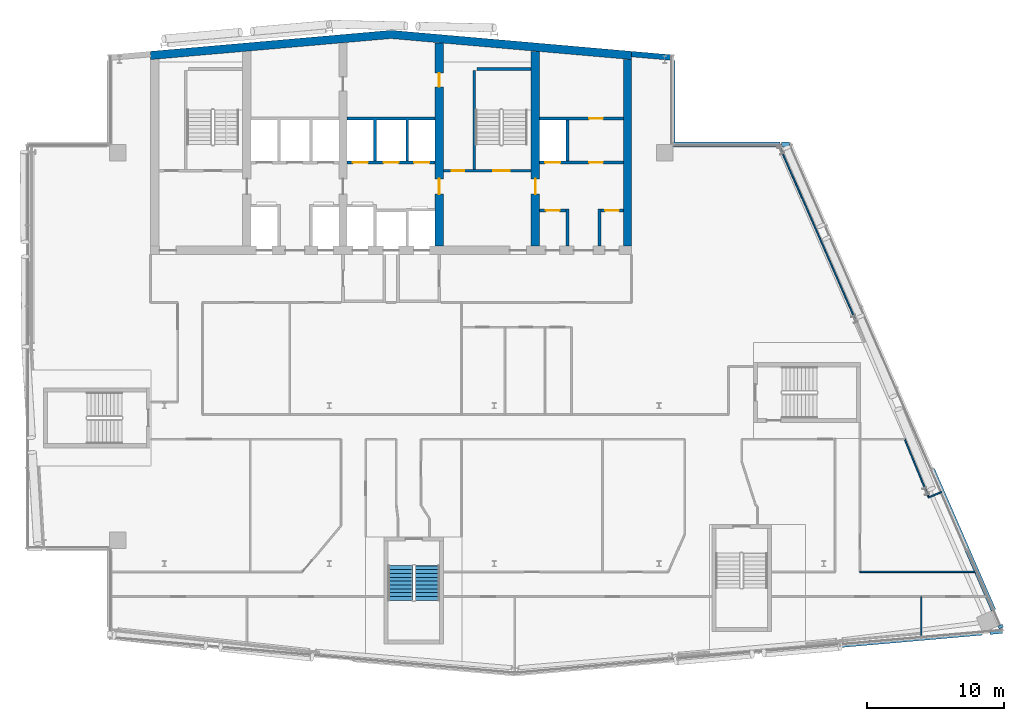
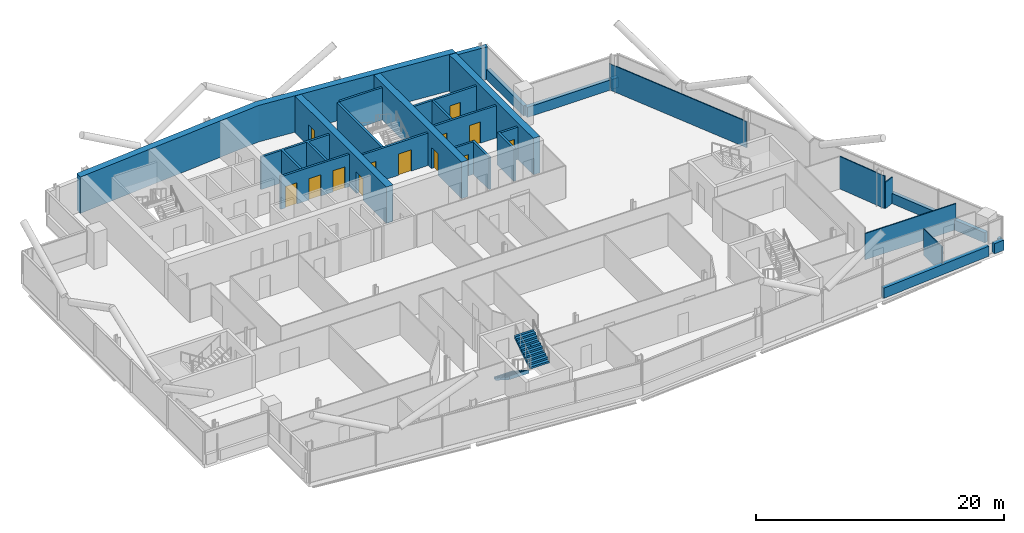
# One storey, part 19 of 27: 29 walls, 13 doors, 2 stair flights, 13 openings, 1 element without a shape of its own.
"""IFC4 building model written with IfcOpenShell, lengths in metres."""

from ifc_helpers import new_model, si_unit, direction, frame, frame_2d, origin, place, context, subcontext, project, spatial, polyline, rectangle, outline, extrude, material, layer, layer_set, type_object, element, fill, aggregate, save


model = new_model("IFC4")

# Units and contexts
model_context = context("Model", 3, precision=1e-05, world=origin(), true_north=direction((0.0, 1.0)))
body_context = subcontext(model_context, "Body", "Model", "MODEL_VIEW")
ifc_project = project(units=[si_unit("LENGTHUNIT", "METRE"), si_unit("AREAUNIT", "SQUARE_METRE"), si_unit("VOLUMEUNIT", "CUBIC_METRE"), si_unit("PLANEANGLEUNIT", "RADIAN"), si_unit("MASSUNIT", "GRAM", prefix="KILO")], contexts=[model_context])

# Site, building, storey
site_placement = place(None, origin())
site = spatial("IfcSite", under=ifc_project, at=site_placement, CompositionType="ELEMENT")
building_placement = place(site_placement, origin())
building = spatial("IfcBuilding", under=site, at=building_placement, Name="Wharfspan Tower", CompositionType="ELEMENT")
storey_placement = place(building_placement, frame((0.0, 0.0, 243.100098)))
storey = spatial("IfcBuildingStorey", under=building, at=storey_placement, Name="L61", CompositionType="ELEMENT", Elevation=243.100098)

# Walls
ifc_material_1 = material(Name="Gypsum board on steel studs", Category="steel")
ifc_layer_1 = layer(ifc_material_1, 0.100098)
ifc_layer_set_1 = layer_set([ifc_layer_1], Name="Gypsum board on steel studs")
wall_type_1 = type_object("IfcWallType", Name="Compartment wall 100 EI 60", PredefinedType="PARTITIONING", material=ifc_layer_set_1)
wall_1_placement = place(storey_placement, frame((74.620117, 10.89502, 0.0), z_axis=(0.0, 0.0, 1.0), x_axis=(1.0, 0.0, 0.0)))
element("IfcWall", 1, at=wall_1_placement, inside=storey, type_object=wall_type_1, Name="Partition L61.w062", PredefinedType="PARTITIONING", context=body_context, shape_type="SweptSolid", body=[
    extrude(rectangle(XDim=8.490723, YDim=0.100098, at=frame_2d((4.245361, 0.0))), origin(), (0.0, 0.0, 1.0), 2.579834),
])
wall_2_placement = place(storey_placement, frame((79.084961, 6.120117, 0.0), z_axis=(0.0, 0.0, 1.0), x_axis=(0.0, 1.0, 0.0)))
element("IfcWall", 2, at=wall_2_placement, inside=storey, type_object=wall_type_1, Name="Partition L61.w066", PredefinedType="PARTITIONING", context=body_context, shape_type="SweptSolid", body=[
    extrude(rectangle(XDim=2.974854, YDim=0.100098, at=frame_2d((1.487305, 0.0))), origin(), (0.0, 0.0, 1.0), 2.579834),
])
wall_3_placement = place(storey_placement, frame((79.629883, 16.314941, 0.0), z_axis=(0.0, 0.0, 1.0), x_axis=(-0.381517, 0.924359, 0.0)))
element("IfcWall", 3, at=wall_3_placement, inside=storey, type_object=wall_type_1, Name="Partition L61.w068", PredefinedType="PARTITIONING", context=body_context, shape_type="SweptSolid", body=[
    extrude(rectangle(XDim=4.586914, YDim=0.100098, at=frame_2d((2.293457, 0.0))), origin(), (0.0, 0.0, 1.0), 3.199951),
])

# Wall, opening, door
ifc_material_2 = material(Name="Calcium silicate masonry", Category="masonry")
ifc_layer_2 = layer(ifc_material_2, 0.199951)
ifc_layer_set_2 = layer_set([ifc_layer_2], Name="Calcium silicate masonry")
wall_type_2 = type_object("IfcWallType", Name="Core room wall 200", PredefinedType="PARTITIONING", material=ifc_layer_set_2)
wall_4_placement = place(storey_placement, frame((51.300049, 37.199951, 0.0), z_axis=(0.0, 0.0, 1.0), x_axis=(1.0, 0.0, 0.0)))
wall_4 = element("IfcWall", 4, at=wall_4_placement, inside=storey, type_object=wall_type_2, Name="sw:L61:FR6.1", PredefinedType="PARTITIONING", context=body_context, shape_type="SweptSolid", body=[
    extrude(rectangle(XDim=1.93335, YDim=0.199951, at=frame_2d((0.966797, 0.0))), origin(), (0.0, 0.0, 1.0), 3.199951),
])
opening_1_placement = place(wall_4_placement, frame((0.466797, 0.0, 0.0)))
opening_1 = element("IfcOpeningElement", 5, at=opening_1_placement, cuts=wall_4, Name="Opening CD61.6H1", PredefinedType="OPENING", context=body_context, shape_type="SweptSolid", body=[
    extrude(rectangle(XDim=1.0, YDim=2.100098, at=frame_2d((0.5, 1.050049))), frame((0.0, 0.109863, 0.0), z_axis=(0.0, -1.0, 0.0), x_axis=(1.0, 0.0, 0.0)), (0.0, 0.0, 1.0), 0.219971),
])
ifc_material_3 = material(Name="Steel door leaf", Category="steel")
door_type_1 = type_object("IfcDoorType", Name="Core room door 1000x2100", OperationType="SINGLE_SWING_LEFT", PredefinedType="DOOR", material=ifc_material_3)
door_1_placement = place(opening_1_placement, origin())
door_1 = element("IfcDoor", 6, at=door_1_placement, inside=storey, type_object=door_type_1, Name="d:L61:6:fh6.1", OperationType="SINGLE_SWING_RIGHT", OverallHeight=2.100098, OverallWidth=1.0, PredefinedType="DOOR", context=body_context, shape_type="SweptSolid", body=[
    extrude(rectangle(XDim=1.0, YDim=2.100098, at=frame_2d((0.5, 1.050049))), frame((0.0, 0.024902, 0.0), z_axis=(0.0, -1.0, 0.0), x_axis=(1.0, 0.0, 0.0)), (0.0, 0.0, 1.0), 0.050049),
])
fill(opening_1, door_1)

wall_5_placement = place(storey_placement, frame((55.766602, 37.199951, 0.0), z_axis=(0.0, 0.0, 1.0), x_axis=(1.0, 0.0, 0.0)))
wall_5 = element("IfcWall", 7, at=wall_5_placement, inside=storey, type_object=wall_type_2, Name="sw:L61:FR6.3", PredefinedType="PARTITIONING", context=body_context, shape_type="SweptSolid", body=[
    extrude(rectangle(XDim=1.633301, YDim=0.199951, at=frame_2d((0.81665, 0.0))), origin(), (0.0, 0.0, 1.0), 3.199951),
])
opening_2_placement = place(wall_5_placement, frame((0.31665, 0.0, 0.0)))
opening_2 = element("IfcOpeningElement", 8, at=opening_2_placement, cuts=wall_5, Name="Opening CD61.6H3", PredefinedType="OPENING", context=body_context, shape_type="SweptSolid", body=[
    extrude(rectangle(XDim=1.0, YDim=2.100098, at=frame_2d((0.5, 1.050049))), frame((0.0, 0.109863, 0.0), z_axis=(0.0, -1.0, 0.0), x_axis=(1.0, 0.0, 0.0)), (0.0, 0.0, 1.0), 0.219971),
])
door_2_placement = place(opening_2_placement, origin())
door_2 = element("IfcDoor", 9, at=door_2_placement, inside=storey, type_object=door_type_1, Name="d:L61:6:fh6.3", OperationType="SINGLE_SWING_RIGHT", OverallHeight=2.100098, OverallWidth=1.0, PredefinedType="DOOR", context=body_context, shape_type="SweptSolid", body=[
    extrude(rectangle(XDim=1.0, YDim=2.100098, at=frame_2d((0.5, 1.050049))), frame((0.0, 0.024902, 0.0), z_axis=(0.0, -1.0, 0.0), x_axis=(1.0, 0.0, 0.0)), (0.0, 0.0, 1.0), 0.050049),
])
fill(opening_2, door_2)

# Wall
ifc_material_4 = material(Name="Concrete C50/60", Category="concrete")
ifc_layer_3 = layer(ifc_material_4, 0.600098)
ifc_layer_set_3 = layer_set([ifc_layer_3], Name="Concrete C50/60")
wall_type_3 = type_object("IfcWallType", Name="Core wall 600 C50/60", PredefinedType="SHEAR", material=ifc_layer_set_3)
wall_6_placement = place(storey_placement, frame((0.0, 0.0, -0.000244)))
element("IfcWall", 10, at=wall_6_placement, inside=storey, type_object=wall_type_3, Name="Core rear wall L61", PredefinedType="SHEAR", context=body_context, shape_type="SweptSolid", body=[
    extrude(outline(polyline([(23.0, 48.185059), (40.5, 49.716064), (58.0, 48.185059), (58.0, 48.787354), (40.5, 50.318359), (23.0, 48.787354), (23.0, 48.185059)])), origin(), (0.0, 0.0, 1.0), 3.600098),
])

# Wall, openings, doors
wall_7_placement = place(storey_placement, frame((44.0, 34.600098, 0.0), z_axis=(0.0, 0.0, 1.0), x_axis=(0.0, 1.0, 0.0)))
wall_7 = element("IfcWall", 11, at=wall_7_placement, inside=storey, type_object=wall_type_3, Name="Core cross wall X5 L61", PredefinedType="SHEAR", context=body_context, shape_type="SweptSolid", body=[
    extrude(rectangle(XDim=14.783691, YDim=0.600098, at=frame_2d((7.391846, 0.0))), origin(), (0.0, 0.0, 1.0), 3.599854),
])
opening_3_placement = place(wall_7_placement, frame((11.608154, 0.0, 0.0)))
opening_3 = element("IfcOpeningElement", 12, at=opening_3_placement, cuts=wall_7, Name="Opening CD61.4X", PredefinedType="OPENING", context=body_context, shape_type="SweptSolid", body=[
    extrude(rectangle(XDim=1.0, YDim=2.100098, at=frame_2d((0.5, 1.050049))), frame((0.0, 0.310059, 0.0), z_axis=(0.0, -1.0, 0.0), x_axis=(1.0, 0.0, 0.0)), (0.0, 0.0, 1.0), 0.620117),
])
opening_4_placement = place(wall_7_placement, frame((3.800049, 0.0, 0.0)))
opening_4 = element("IfcOpeningElement", 13, at=opening_4_placement, cuts=wall_7, Name="Opening CC61.5", PredefinedType="OPENING", context=body_context, shape_type="SweptSolid", body=[
    extrude(rectangle(XDim=1.100098, YDim=2.100098, at=frame_2d((0.550049, 1.050049))), frame((0.0, 0.310059, 0.0), z_axis=(0.0, -1.0, 0.0), x_axis=(1.0, 0.0, 0.0)), (0.0, 0.0, 1.0), 0.620117),
])
door_type_2 = type_object("IfcDoorType", Name="Core corridor door 1100x2100", OperationType="SINGLE_SWING_LEFT", PredefinedType="DOOR", material=ifc_material_3)
door_3_placement = place(opening_4_placement, origin())
door_3 = element("IfcDoor", 14, at=door_3_placement, inside=storey, type_object=door_type_2, Name="xd:L61:5", OperationType="SINGLE_SWING_LEFT", OverallHeight=2.100098, OverallWidth=1.100098, PredefinedType="DOOR", context=body_context, shape_type="SweptSolid", body=[
    extrude(rectangle(XDim=1.100098, YDim=2.100098, at=frame_2d((0.550049, 1.050049))), frame((0.0, 0.024902, 0.0), z_axis=(0.0, -1.0, 0.0), x_axis=(1.0, 0.0, 0.0)), (0.0, 0.0, 1.0), 0.050049),
])
fill(opening_4, door_3)
door_4_placement = place(opening_3_placement, origin())
door_4 = element("IfcDoor", 15, at=door_4_placement, inside=storey, type_object=door_type_1, Name="d:L61:4:sx", OperationType="SINGLE_SWING_LEFT", OverallHeight=2.100098, OverallWidth=1.0, PredefinedType="DOOR", context=body_context, shape_type="SweptSolid", body=[
    extrude(rectangle(XDim=1.0, YDim=2.100098, at=frame_2d((0.5, 1.050049))), frame((0.0, 0.024902, 0.0), z_axis=(0.0, -1.0, 0.0), x_axis=(1.0, 0.0, 0.0)), (0.0, 0.0, 1.0), 0.050049),
])
fill(opening_3, door_4)

# Wall, opening, door
wall_8_placement = place(storey_placement, frame((51.0, 34.600098, 0.0), z_axis=(0.0, 0.0, 1.0), x_axis=(0.0, 1.0, 0.0)))
wall_8 = element("IfcWall", 16, at=wall_8_placement, inside=storey, type_object=wall_type_3, Name="Core cross wall X6 L61", PredefinedType="SHEAR", context=body_context, shape_type="SweptSolid", body=[
    extrude(rectangle(XDim=14.171143, YDim=0.600098, at=frame_2d((7.085449, 0.0))), origin(), (0.0, 0.0, 1.0), 3.599854),
])
opening_5_placement = place(wall_8_placement, frame((3.800049, 0.0, 0.0)))
opening_5 = element("IfcOpeningElement", 17, at=opening_5_placement, cuts=wall_8, Name="Opening CC61.6", PredefinedType="OPENING", context=body_context, shape_type="SweptSolid", body=[
    extrude(rectangle(XDim=1.100098, YDim=2.100098, at=frame_2d((0.550049, 1.050049))), frame((0.0, 0.310059, 0.0), z_axis=(0.0, -1.0, 0.0), x_axis=(1.0, 0.0, 0.0)), (0.0, 0.0, 1.0), 0.620117),
])
door_5_placement = place(opening_5_placement, origin())
door_5 = element("IfcDoor", 18, at=door_5_placement, inside=storey, type_object=door_type_2, Name="xd:L61:6", OperationType="SINGLE_SWING_RIGHT", OverallHeight=2.100098, OverallWidth=1.100098, PredefinedType="DOOR", context=body_context, shape_type="SweptSolid", body=[
    extrude(rectangle(XDim=1.100098, YDim=2.100098, at=frame_2d((0.550049, 1.050049))), frame((0.0, 0.024902, 0.0), z_axis=(0.0, -1.0, 0.0), x_axis=(1.0, 0.0, 0.0)), (0.0, 0.0, 1.0), 0.050049),
])
fill(opening_5, door_5)

# Wall
wall_9_placement = place(storey_placement, frame((57.699951, 34.600098, 0.0), z_axis=(0.0, 0.0, 1.0), x_axis=(0.0, 1.0, 0.0)))
element("IfcWall", 19, at=wall_9_placement, inside=storey, type_object=wall_type_3, Name="Core cross wall EW1 L61", PredefinedType="SHEAR", context=body_context, shape_type="SweptSolid", body=[
    extrude(rectangle(XDim=13.584961, YDim=0.600098, at=frame_2d((6.79248, 0.0))), origin(), (0.0, 0.0, 1.0), 3.599854),
])

# Wall, openings, doors
ifc_material_5 = material(Name="Concrete C30/37", Category="concrete")
ifc_layer_4 = layer(ifc_material_5, 0.199951)
ifc_layer_set_4 = layer_set([ifc_layer_4], Name="Concrete C30/37")
wall_type_4 = type_object("IfcWallType", Name="Lift shaft wall 200", PredefinedType="PARTITIONING", material=ifc_layer_set_4)
wall_10_placement = place(storey_placement, frame((37.300049, 40.699951, 0.0), z_axis=(0.0, 0.0, 1.0), x_axis=(1.0, 0.0, 0.0)))
wall_10 = element("IfcWall", 20, at=wall_10_placement, inside=storey, type_object=wall_type_4, Name="sw:L61:RF4", PredefinedType="PARTITIONING", context=body_context, shape_type="SweptSolid", body=[
    extrude(rectangle(XDim=6.399902, YDim=0.199951, at=frame_2d((3.199951, 0.0))), origin(), (0.0, 0.0, 1.0), 3.199951),
])
opening_6_placement = place(wall_10_placement, frame((0.416748, 0.0, 0.0)))
opening_6 = element("IfcOpeningElement", 21, at=opening_6_placement, cuts=wall_10, Name="Opening LD.LB4.L61", PredefinedType="OPENING", context=body_context, shape_type="SweptSolid", body=[
    extrude(rectangle(XDim=1.100098, YDim=2.100098, at=frame_2d((0.550049, 1.050049))), frame((0.0, 0.109863, 0.0), z_axis=(0.0, -1.0, 0.0), x_axis=(1.0, 0.0, 0.0)), (0.0, 0.0, 1.0), 0.219971),
])
opening_7_placement = place(wall_10_placement, frame((2.649902, 0.0, 0.0)))
opening_7 = element("IfcOpeningElement", 22, at=opening_7_placement, cuts=wall_10, Name="Opening LD.LB5.L61", PredefinedType="OPENING", context=body_context, shape_type="SweptSolid", body=[
    extrude(rectangle(XDim=1.100098, YDim=2.100098, at=frame_2d((0.550049, 1.050049))), frame((0.0, 0.109863, 0.0), z_axis=(0.0, -1.0, 0.0), x_axis=(1.0, 0.0, 0.0)), (0.0, 0.0, 1.0), 0.219971),
])
opening_8_placement = place(wall_10_placement, frame((4.883301, 0.0, 0.0)))
opening_8 = element("IfcOpeningElement", 23, at=opening_8_placement, cuts=wall_10, Name="Opening LD.LB6.L61", PredefinedType="OPENING", context=body_context, shape_type="SweptSolid", body=[
    extrude(rectangle(XDim=1.100098, YDim=2.100098, at=frame_2d((0.550049, 1.050049))), frame((0.0, 0.109863, 0.0), z_axis=(0.0, -1.0, 0.0), x_axis=(1.0, 0.0, 0.0)), (0.0, 0.0, 1.0), 0.219971),
])
ifc_material_6 = material(Name="Stainless steel", Category="steel")
door_type_3 = type_object("IfcDoorType", Name="Lift landing door 1100x2100", OperationType="DOUBLE_DOOR_SLIDING", PredefinedType="DOOR", material=ifc_material_6)
door_6_placement = place(opening_6_placement, origin())
door_6 = element("IfcDoor", 24, at=door_6_placement, inside=storey, type_object=door_type_3, Name="Landing door LB4 L61", OperationType="DOUBLE_DOOR_SLIDING", OverallHeight=2.100098, OverallWidth=1.100098, PredefinedType="DOOR", context=body_context, shape_type="SweptSolid", body=[
    extrude(rectangle(XDim=1.100098, YDim=2.100098, at=frame_2d((0.550049, 1.050049))), frame((0.0, 0.024902, 0.0), z_axis=(0.0, -1.0, 0.0), x_axis=(1.0, 0.0, 0.0)), (0.0, 0.0, 1.0), 0.050049),
])
fill(opening_6, door_6)
door_7_placement = place(opening_7_placement, origin())
door_7 = element("IfcDoor", 25, at=door_7_placement, inside=storey, type_object=door_type_3, Name="Landing door LB5 L61", OperationType="DOUBLE_DOOR_SLIDING", OverallHeight=2.100098, OverallWidth=1.100098, PredefinedType="DOOR", context=body_context, shape_type="SweptSolid", body=[
    extrude(rectangle(XDim=1.100098, YDim=2.100098, at=frame_2d((0.550049, 1.050049))), frame((0.0, 0.024902, 0.0), z_axis=(0.0, -1.0, 0.0), x_axis=(1.0, 0.0, 0.0)), (0.0, 0.0, 1.0), 0.050049),
])
fill(opening_7, door_7)
door_8_placement = place(opening_8_placement, origin())
door_8 = element("IfcDoor", 26, at=door_8_placement, inside=storey, type_object=door_type_3, Name="Landing door LB6 L61", OperationType="DOUBLE_DOOR_SLIDING", OverallHeight=2.100098, OverallWidth=1.100098, PredefinedType="DOOR", context=body_context, shape_type="SweptSolid", body=[
    extrude(rectangle(XDim=1.100098, YDim=2.100098, at=frame_2d((0.550049, 1.050049))), frame((0.0, 0.024902, 0.0), z_axis=(0.0, -1.0, 0.0), x_axis=(1.0, 0.0, 0.0)), (0.0, 0.0, 1.0), 0.050049),
])
fill(opening_8, door_8)

# Wall
wall_11_placement = place(storey_placement, frame((0.0, 0.0, -0.000244)))
element("IfcWall", 27, at=wall_11_placement, inside=storey, type_object=wall_type_4, Name="sw:L61:RM4.0", PredefinedType="PARTITIONING", context=body_context, shape_type="SweptSolid", body=[
    extrude(outline(polyline([(39.43335, 40.800049), (39.233398, 40.800049), (39.233398, 43.800049), (37.300049, 43.800049), (37.300049, 44.0), (43.699951, 44.0), (43.699951, 43.800049), (41.766602, 43.800049), (41.766602, 40.800049), (41.56665, 40.800049), (41.56665, 43.800049), (39.43335, 43.800049), (39.43335, 40.800049)])), origin(), (0.0, 0.0, 1.0), 3.200195),
])

# Wall, openings, doors
wall_12_placement = place(storey_placement, frame((51.300049, 40.699951, 0.0), z_axis=(0.0, 0.0, 1.0), x_axis=(1.0, 0.0, 0.0)))
wall_12 = element("IfcWall", 28, at=wall_12_placement, inside=storey, type_object=wall_type_4, Name="sw:L61:RF6", PredefinedType="PARTITIONING", context=body_context, shape_type="SweptSolid", body=[
    extrude(rectangle(XDim=6.099854, YDim=0.199951, at=frame_2d((3.049805, 0.0))), origin(), (0.0, 0.0, 1.0), 3.199951),
])
opening_9_placement = place(wall_12_placement, frame((0.416748, 0.0, 0.0)))
opening_9 = element("IfcOpeningElement", 29, at=opening_9_placement, cuts=wall_12, Name="Opening LD.LB8.L61", PredefinedType="OPENING", context=body_context, shape_type="SweptSolid", body=[
    extrude(rectangle(XDim=1.100098, YDim=2.100098, at=frame_2d((0.550049, 1.050049))), frame((0.0, 0.109863, 0.0), z_axis=(0.0, -1.0, 0.0), x_axis=(1.0, 0.0, 0.0)), (0.0, 0.0, 1.0), 0.219971),
])
opening_10_placement = place(wall_12_placement, frame((3.616699, 0.0, 0.0)))
opening_10 = element("IfcOpeningElement", 30, at=opening_10_placement, cuts=wall_12, Name="Opening CD61.6R2", PredefinedType="OPENING", context=body_context, shape_type="SweptSolid", body=[
    extrude(rectangle(XDim=1.0, YDim=2.100098, at=frame_2d((0.5, 1.050049))), frame((0.0, 0.109863, 0.0), z_axis=(0.0, -1.0, 0.0), x_axis=(1.0, 0.0, 0.0)), (0.0, 0.0, 1.0), 0.219971),
])
door_9_placement = place(opening_10_placement, origin())
door_9 = element("IfcDoor", 31, at=door_9_placement, inside=storey, type_object=door_type_1, Name="d:L61:6:rd6.2", OperationType="SINGLE_SWING_RIGHT", OverallHeight=2.100098, OverallWidth=1.0, PredefinedType="DOOR", context=body_context, shape_type="SweptSolid", body=[
    extrude(rectangle(XDim=1.0, YDim=2.100098, at=frame_2d((0.5, 1.050049))), frame((0.0, 0.024902, 0.0), z_axis=(0.0, -1.0, 0.0), x_axis=(1.0, 0.0, 0.0)), (0.0, 0.0, 1.0), 0.050049),
])
fill(opening_10, door_9)
door_10_placement = place(opening_9_placement, origin())
door_10 = element("IfcDoor", 32, at=door_10_placement, inside=storey, type_object=door_type_3, Name="Landing door LB8 L61", OperationType="DOUBLE_DOOR_SLIDING", OverallHeight=2.100098, OverallWidth=1.100098, PredefinedType="DOOR", context=body_context, shape_type="SweptSolid", body=[
    extrude(rectangle(XDim=1.100098, YDim=2.100098, at=frame_2d((0.550049, 1.050049))), frame((0.0, 0.024902, 0.0), z_axis=(0.0, -1.0, 0.0), x_axis=(1.0, 0.0, 0.0)), (0.0, 0.0, 1.0), 0.050049),
])
fill(opening_9, door_10)

# Wall, opening, door
wall_13_placement = place(storey_placement, frame((51.300049, 43.899902, 0.0), z_axis=(0.0, 0.0, 1.0), x_axis=(1.0, 0.0, 0.0)))
wall_13 = element("IfcWall", 33, at=wall_13_placement, inside=storey, type_object=wall_type_4, Name="sw:L61:RR6", PredefinedType="PARTITIONING", context=body_context, shape_type="SweptSolid", body=[
    extrude(rectangle(XDim=6.099854, YDim=0.199951, at=frame_2d((3.049805, 0.0))), origin(), (0.0, 0.0, 1.0), 3.199951),
])
opening_11_placement = place(wall_13_placement, frame((3.616699, 0.0, 0.0)))
opening_11 = element("IfcOpeningElement", 34, at=opening_11_placement, cuts=wall_13, Name="Opening CD61.6S2", PredefinedType="OPENING", context=body_context, shape_type="SweptSolid", body=[
    extrude(rectangle(XDim=1.0, YDim=2.100098, at=frame_2d((0.5, 1.050049))), frame((0.0, 0.109863, 0.0), z_axis=(0.0, -1.0, 0.0), x_axis=(1.0, 0.0, 0.0)), (0.0, 0.0, 1.0), 0.219971),
])
door_11_placement = place(opening_11_placement, origin())
door_11 = element("IfcDoor", 35, at=door_11_placement, inside=storey, type_object=door_type_1, Name="d:L61:6:rs6.2", OperationType="SINGLE_SWING_LEFT", OverallHeight=2.100098, OverallWidth=1.0, PredefinedType="DOOR", context=body_context, shape_type="SweptSolid", body=[
    extrude(rectangle(XDim=1.0, YDim=2.100098, at=frame_2d((0.5, 1.050049))), frame((0.0, 0.024902, 0.0), z_axis=(0.0, -1.0, 0.0), x_axis=(1.0, 0.0, 0.0)), (0.0, 0.0, 1.0), 0.050049),
])
fill(opening_11, door_11)

# Walls
wall_14_placement = place(storey_placement, frame((0.0, 0.0, -0.000244)))
element("IfcWall", 36, at=wall_14_placement, inside=storey, type_object=wall_type_4, Name="sw:L61:FM6.0", PredefinedType="PARTITIONING", context=body_context, shape_type="SweptSolid", body=[
    extrude(outline(polyline([(53.233398, 34.600098), (53.233398, 37.300049), (53.43335, 37.300049), (53.43335, 34.600098), (53.233398, 34.600098)])), origin(), (0.0, 0.0, 1.0), 3.200195),
])
wall_15_placement = place(storey_placement, frame((0.0, 0.0, -0.000244)))
element("IfcWall", 37, at=wall_15_placement, inside=storey, type_object=wall_type_4, Name="sw:L61:FM6.1", PredefinedType="PARTITIONING", context=body_context, shape_type="SweptSolid", body=[
    extrude(outline(polyline([(55.56665, 34.600098), (55.56665, 37.300049), (55.766602, 37.300049), (55.766602, 34.600098), (55.56665, 34.600098)])), origin(), (0.0, 0.0, 1.0), 3.200195),
])
wall_16_placement = place(storey_placement, frame((0.0, 0.0, -0.000244)))
element("IfcWall", 38, at=wall_16_placement, inside=storey, type_object=wall_type_4, Name="sw:L61:RM6.0", PredefinedType="PARTITIONING", context=body_context, shape_type="SweptSolid", body=[
    extrude(outline(polyline([(53.43335, 40.800049), (53.43335, 43.800049), (53.233398, 43.800049), (53.233398, 40.800049), (53.43335, 40.800049)])), origin(), (0.0, 0.0, 1.0), 3.200195),
])
ifc_layer_5 = layer(ifc_material_1, 0.100098)
ifc_layer_set_5 = layer_set([ifc_layer_5], Name="Gypsum board on steel studs")
wall_type_5 = type_object("IfcWallType", Name="Partition 100", PredefinedType="PARTITIONING", material=ifc_layer_set_5)
wall_17_placement = place(storey_placement, frame((74.264893, 29.310059, 0.0), z_axis=(0.0, 0.0, 1.0), x_axis=(-0.400709, 0.916209, 0.0)))
element("IfcWall", 39, at=wall_17_placement, inside=storey, type_object=wall_type_5, Name="Partition L61.w060", PredefinedType="PARTITIONING", context=body_context, shape_type="SweptSolid", body=[
    extrude(rectangle(XDim=13.828613, YDim=0.100098, at=frame_2d((6.914307, 0.0))), origin(), (0.0, 0.0, 1.0), 2.579834),
])
wall_18_placement = place(storey_placement, frame((79.629883, 16.314941, 0.0), z_axis=(0.0, 0.0, 1.0), x_axis=(0.918616, 0.395147, 0.0)))
element("IfcWall", 40, at=wall_18_placement, inside=storey, type_object=wall_type_5, Name="Partition L61.w067", PredefinedType="PARTITIONING", context=body_context, shape_type="SweptSolid", body=[
    extrude(rectangle(XDim=1.03125, YDim=0.100098, at=frame_2d((0.515625, 0.0))), origin(), (0.0, 0.0, 1.0), 2.579834),
])
ifc_material_7 = material(Name="Concrete C40/50", Category="concrete")
ifc_layer_6 = layer(ifc_material_7, 0.350098)
ifc_layer_set_6 = layer_set([ifc_layer_6], Name="Concrete C40/50")
wall_type_6 = type_object("IfcWallType", Name="SPANDREL EXPOSED CONCRETE 350", PredefinedType="SOLIDWALL", material=ifc_layer_set_6)
wall_19_placement = place(storey_placement, frame((73.197021, 5.562256, 0.0), z_axis=(0.0, 0.0, 1.0), x_axis=(0.996198, 0.087163, 0.0)))
element("IfcWall", 41, at=wall_19_placement, inside=storey, type_object=wall_type_6, Name="Spandrel upstand L61 S2 2", PredefinedType="SOLIDWALL", context=body_context, shape_type="SweptSolid", body=[
    extrude(rectangle(XDim=10.35791, YDim=0.350098, at=frame_2d((5.178955, 0.0))), origin(), (0.0, 0.0, 1.0), 1.0),
])
wall_20_placement = place(storey_placement, frame((84.077637, 6.514404, 0.0), z_axis=(0.0, 0.0, 1.0), x_axis=(0.996213, 0.086971, 0.0)))
element("IfcWall", 42, at=wall_20_placement, inside=storey, type_object=wall_type_6, Name="Spandrel upstand L61 S2 3", PredefinedType="SOLIDWALL", context=body_context, shape_type="SweptSolid", body=[
    extrude(rectangle(XDim=0.92627, YDim=0.350098, at=frame_2d((0.463135, 0.0))), origin(), (0.0, 0.0, 1.0), 1.0),
])
wall_21_placement = place(storey_placement, frame((84.9104, 6.818604, 0.0), z_axis=(0.0, 0.0, 1.0), x_axis=(-0.398359, 0.91723, 0.0)))
element("IfcWall", 43, at=wall_21_placement, inside=storey, type_object=wall_type_6, Name="Spandrel upstand L61 E", PredefinedType="SOLIDWALL", context=body_context, shape_type="SweptSolid", body=[
    extrude(rectangle(XDim=0.21875, YDim=0.350098, at=frame_2d((0.109375, 0.0))), origin(), (0.0, 0.0, 1.0), 1.0),
])
wall_22_placement = place(storey_placement, frame((84.344727, 8.119873, 0.0), z_axis=(0.0, 0.0, 1.0), x_axis=(-0.398721, 0.917067, 0.0)))
element("IfcWall", 44, at=wall_22_placement, inside=storey, type_object=wall_type_6, Name="Spandrel upstand L61 E 2", PredefinedType="SOLIDWALL", context=body_context, shape_type="SweptSolid", body=[
    extrude(rectangle(XDim=11.181885, YDim=0.350098, at=frame_2d((5.59082, 0.0))), origin(), (0.0, 0.0, 1.0), 1.0),
])
wall_23_placement = place(storey_placement, frame((69.498535, 42.004883, 0.0), z_axis=(0.0, 0.0, 1.0), x_axis=(-1.0, 0.0, 0.0)))
element("IfcWall", 45, at=wall_23_placement, inside=storey, type_object=wall_type_6, Name="Spandrel upstand L61 NRE-H", PredefinedType="SOLIDWALL", context=body_context, shape_type="SweptSolid", body=[
    extrude(rectangle(XDim=0.57666, YDim=0.350098, at=frame_2d((0.28833, 0.0))), origin(), (0.0, 0.0, 1.0), 1.0),
])
wall_24_placement = place(storey_placement, frame((68.803467, 42.004883, 0.0), z_axis=(0.0, 0.0, 1.0), x_axis=(-1.0, 0.0, 0.0)))
element("IfcWall", 46, at=wall_24_placement, inside=storey, type_object=wall_type_6, Name="Spandrel upstand L61 NRE-H 2", PredefinedType="SOLIDWALL", context=body_context, shape_type="SweptSolid", body=[
    extrude(rectangle(XDim=7.803467, YDim=0.350098, at=frame_2d((3.901855, 0.0))), origin(), (0.0, 0.0, 1.0), 1.0),
])
wall_25_placement = place(storey_placement, frame((61.004883, 42.179932, 0.0), z_axis=(0.0, 0.0, 1.0), x_axis=(0.0, 1.0, 0.0)))
element("IfcWall", 47, at=wall_25_placement, inside=storey, type_object=wall_type_6, Name="Spandrel upstand L61 NRE-V", PredefinedType="SOLIDWALL", context=body_context, shape_type="SweptSolid", body=[
    extrude(rectangle(XDim=5.946533, YDim=0.350098, at=frame_2d((2.973145, 0.0))), origin(), (0.0, 0.0, 1.0), 1.0),
])

# Wall, openings, doors
ifc_layer_7 = layer(ifc_material_7, 0.199951)
ifc_layer_set_7 = layer_set([ifc_layer_7], Name="Concrete C40/50")
wall_type_7 = type_object("IfcWallType", Name="Stair shaft wall 200", PredefinedType="SHEAR", material=ifc_layer_set_7)
wall_26_placement = place(storey_placement, frame((44.300049, 40.100098, 0.0), z_axis=(0.0, 0.0, 1.0), x_axis=(1.0, 0.0, 0.0)))
wall_26 = element("IfcWall", 48, at=wall_26_placement, inside=storey, type_object=wall_type_7, Name="ST2 stair enclosure wall L61", PredefinedType="SHEAR", context=body_context, shape_type="SweptSolid", body=[
    extrude(rectangle(XDim=6.399902, YDim=0.199951, at=frame_2d((3.199951, 0.0))), origin(), (0.0, 0.0, 1.0), 3.199951),
])
opening_12_placement = place(wall_26_placement, frame((3.625, 0.0, 0.0)))
opening_12 = element("IfcOpeningElement", 49, at=opening_12_placement, cuts=wall_26, Name="Opening SD5.L61", PredefinedType="OPENING", context=body_context, shape_type="SweptSolid", body=[
    extrude(rectangle(XDim=1.199951, YDim=2.100098, at=frame_2d((0.600098, 1.050049))), frame((0.0, 0.109863, 0.0), z_axis=(0.0, -1.0, 0.0), x_axis=(1.0, 0.0, 0.0)), (0.0, 0.0, 1.0), 0.219971),
])
opening_13_placement = place(wall_26_placement, frame((0.625, 0.0, 0.0)))
opening_13 = element("IfcOpeningElement", 50, at=opening_13_placement, cuts=wall_26, Name="Opening CD61.5R", PredefinedType="OPENING", context=body_context, shape_type="SweptSolid", body=[
    extrude(rectangle(XDim=0.899902, YDim=2.100098, at=frame_2d((0.449951, 1.050049))), frame((0.0, 0.109863, 0.0), z_axis=(0.0, -1.0, 0.0), x_axis=(1.0, 0.0, 0.0)), (0.0, 0.0, 1.0), 0.219971),
])
door_12_placement = place(opening_13_placement, origin())
door_12 = element("IfcDoor", 51, at=door_12_placement, inside=storey, type_object=door_type_1, Name="rk:L61:5", OperationType="SINGLE_SWING_LEFT", OverallHeight=2.100098, OverallWidth=0.899902, PredefinedType="DOOR", context=body_context, shape_type="SweptSolid", body=[
    extrude(rectangle(XDim=0.899902, YDim=2.100098, at=frame_2d((0.449951, 1.050049))), frame((0.0, 0.024902, 0.0), z_axis=(0.0, -1.0, 0.0), x_axis=(1.0, 0.0, 0.0)), (0.0, 0.0, 1.0), 0.050049),
])
fill(opening_13, door_12)
door_type_4 = type_object("IfcDoorType", Name="Stair door 1200x2100", OperationType="SINGLE_SWING_LEFT", PredefinedType="DOOR", material=ifc_material_3)
door_13_placement = place(opening_12_placement, origin())
door_13 = element("IfcDoor", 52, at=door_13_placement, inside=storey, type_object=door_type_4, Name="sd:L61:5", OperationType="SINGLE_SWING_RIGHT", OverallHeight=2.100098, OverallWidth=1.199951, PredefinedType="DOOR", context=body_context, shape_type="SweptSolid", body=[
    extrude(rectangle(XDim=1.199951, YDim=2.100098, at=frame_2d((0.600098, 1.050049))), frame((0.0, 0.024902, 0.0), z_axis=(0.0, -1.0, 0.0), x_axis=(1.0, 0.0, 0.0)), (0.0, 0.0, 1.0), 0.050049),
])
fill(opening_12, door_13)

# Walls
wall_27_placement = place(storey_placement, frame((46.550049, 40.199951, 0.0), z_axis=(0.0, 0.0, 1.0), x_axis=(0.0, 1.0, 0.0)))
element("IfcWall", 53, at=wall_27_placement, inside=storey, type_object=wall_type_7, Name="ST2 stair enclosure wall L61", PredefinedType="SHEAR", context=body_context, shape_type="SweptSolid", body=[
    extrude(rectangle(XDim=7.199951, YDim=0.199951, at=frame_2d((3.600098, 0.0))), origin(), (0.0, 0.0, 1.0), 3.199951),
])
wall_28_placement = place(storey_placement, frame((46.75, 47.5, 0.0), z_axis=(0.0, 0.0, 1.0), x_axis=(1.0, 0.0, 0.0)))
element("IfcWall", 54, at=wall_28_placement, inside=storey, type_object=wall_type_7, Name="ST2 stair enclosure wall L61", PredefinedType="SHEAR", context=body_context, shape_type="SweptSolid", body=[
    extrude(rectangle(XDim=3.949951, YDim=0.199951, at=frame_2d((1.975098, 0.0))), origin(), (0.0, 0.0, 1.0), 3.199951),
])
ifc_layer_8 = layer(ifc_material_7, 0.399902)
ifc_layer_set_8 = layer_set([ifc_layer_8], Name="Concrete C40/50")
wall_type_8 = type_object("IfcWallType", Name="WALL EXPOSED CONCRETE 400", PredefinedType="SOLIDWALL", material=ifc_layer_set_8)
wall_29_placement = place(storey_placement, frame((60.982666, 48.325684, 0.0), z_axis=(0.0, 0.0, 1.0), x_axis=(-0.996194, 0.087168, 0.0)))
element("IfcWall", 55, at=wall_29_placement, inside=storey, type_object=wall_type_8, Name="Rear wall N2", PredefinedType="SOLIDWALL", context=body_context, shape_type="SweptSolid", body=[
    extrude(rectangle(XDim=2.994141, YDim=0.399902, at=frame_2d((1.49707, 0.0))), origin(), (0.0, 0.0, 1.0), 3.199951),
])

# Stair, stair flights
stair_type = type_object("IfcStairType", Name="Half-turn stair 20 risers 180 mm", PredefinedType="HALF_TURN_STAIR", material=ifc_material_7)
stair_placement = place(storey_placement, origin())
stair = element("IfcStair", 56, at=stair_placement, inside=storey, type_object=stair_type, Name="L61 stair ST4", PredefinedType="HALF_TURN_STAIR")
stair_flight_type = type_object("IfcStairFlightType", Name="Stair flight 20 risers 180 mm", PredefinedType="STRAIGHT", material=ifc_material_7)
stair_flight_1_placement = place(storey_placement, frame((41.177002, 11.343262, 0.0), z_axis=(0.0, 0.0, 1.0), x_axis=(0.0, -1.0, 0.0)))
stair_flight_1 = element("IfcStairFlight", 57, at=stair_flight_1_placement, type_object=stair_flight_type, Name="ST4 flight 1", NumberOfRisers=10, NumberOfTreads=9, PredefinedType="STRAIGHT", RiserHeight=0.18, TreadLength=0.28, context=body_context, shape_type="SweptSolid", body=[
    extrude(outline(polyline([(-0.011963, 0.0), (-0.011963, 0.179932), (0.0, 0.179932), (0.280029, 0.179932), (0.280029, 0.360107), (0.560059, 0.360107), (0.560059, 0.540039), (0.840088, 0.540039), (0.840088, 0.719971), (1.120117, 0.719971), (1.120117, 0.899902), (1.399902, 0.899902), (1.399902, 1.080078), (1.679932, 1.080078), (1.679932, 1.26001), (1.959961, 1.26001), (1.959961, 1.439941), (2.23999, 1.439941), (2.23999, 1.620117), (2.52002, 1.620117), (2.531982, 1.800049), (2.531982, 1.441895), (0.2771, 0.0), (-0.011963, 0.0)])), frame((0.0, 0.899902, 0.0), z_axis=(0.0, -1.0, 0.0), x_axis=(1.0, 0.0, 0.0)), (0.0, 0.0, 1.0), 0.899414),
    extrude(outline(polyline([(-0.011963, 0.0), (-0.011963, 0.179932), (0.0, 0.179932), (0.280029, 0.179932), (0.280029, 0.360107), (0.560059, 0.360107), (0.560059, 0.540039), (0.840088, 0.540039), (0.840088, 0.719971), (1.120117, 0.719971), (1.120117, 0.899902), (1.399902, 0.899902), (1.399902, 1.080078), (1.679932, 1.080078), (1.679932, 1.26001), (1.959961, 1.26001), (1.959961, 1.439941), (2.23999, 1.439941), (2.23999, 1.620117), (2.52002, 1.620117), (2.531982, 1.800049), (2.531982, 1.441895), (0.2771, 0.0), (-0.011963, 0.0)])), frame((0.0, -0.000488, 0.0), z_axis=(0.0, -1.0, 0.0), x_axis=(1.0, 0.0, 0.0)), (0.0, 0.0, 1.0), 0.899414),
])
stair_flight_2_placement = place(storey_placement, frame((43.127197, 8.823242, 1.799805), z_axis=(0.0, 0.0, 1.0), x_axis=(0.0, 1.0, 0.0)))
stair_flight_2 = element("IfcStairFlight", 58, at=stair_flight_2_placement, type_object=stair_flight_type, Name="ST4 flight 2", NumberOfRisers=10, NumberOfTreads=9, PredefinedType="STRAIGHT", RiserHeight=0.18, TreadLength=0.28, context=body_context, shape_type="SweptSolid", body=[
    extrude(outline(polyline([(-0.011963, 0.0), (-0.011963, 0.179932), (0.0, 0.179932), (0.280029, 0.179932), (0.280029, 0.360107), (0.560059, 0.360107), (0.560059, 0.540039), (0.840088, 0.540039), (0.840088, 0.719971), (1.120117, 0.719971), (1.120117, 0.899902), (1.399902, 0.899902), (1.399902, 1.080078), (1.679932, 1.080078), (1.679932, 1.26001), (1.959961, 1.26001), (1.959961, 1.439941), (2.23999, 1.439941), (2.23999, 1.620117), (2.52002, 1.620117), (2.531982, 1.800049), (2.531982, 1.441895), (0.2771, 0.0), (-0.011963, 0.0)])), frame((0.0, 0.899902, 0.0), z_axis=(0.0, -1.0, 0.0), x_axis=(1.0, 0.0, 0.0)), (0.0, 0.0, 1.0), 0.899414),
    extrude(outline(polyline([(-0.011963, 0.0), (-0.011963, 0.179932), (0.0, 0.179932), (0.280029, 0.179932), (0.280029, 0.360107), (0.560059, 0.360107), (0.560059, 0.540039), (0.840088, 0.540039), (0.840088, 0.719971), (1.120117, 0.719971), (1.120117, 0.899902), (1.399902, 0.899902), (1.399902, 1.080078), (1.679932, 1.080078), (1.679932, 1.26001), (1.959961, 1.26001), (1.959961, 1.439941), (2.23999, 1.439941), (2.23999, 1.620117), (2.52002, 1.620117), (2.531982, 1.800049), (2.531982, 1.441895), (0.2771, 0.0), (-0.011963, 0.0)])), frame((0.0, -0.000488, 0.0), z_axis=(0.0, -1.0, 0.0), x_axis=(1.0, 0.0, 0.0)), (0.0, 0.0, 1.0), 0.899414),
])
aggregate(stair, [stair_flight_1, stair_flight_2])

save(model, "model.ifc")
